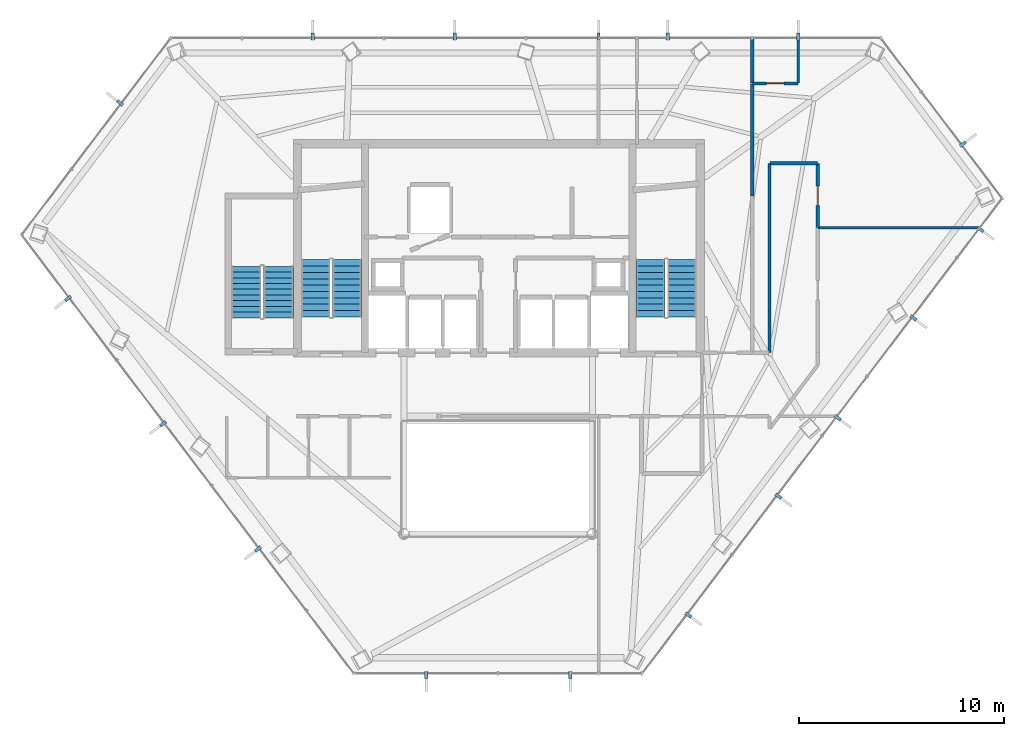
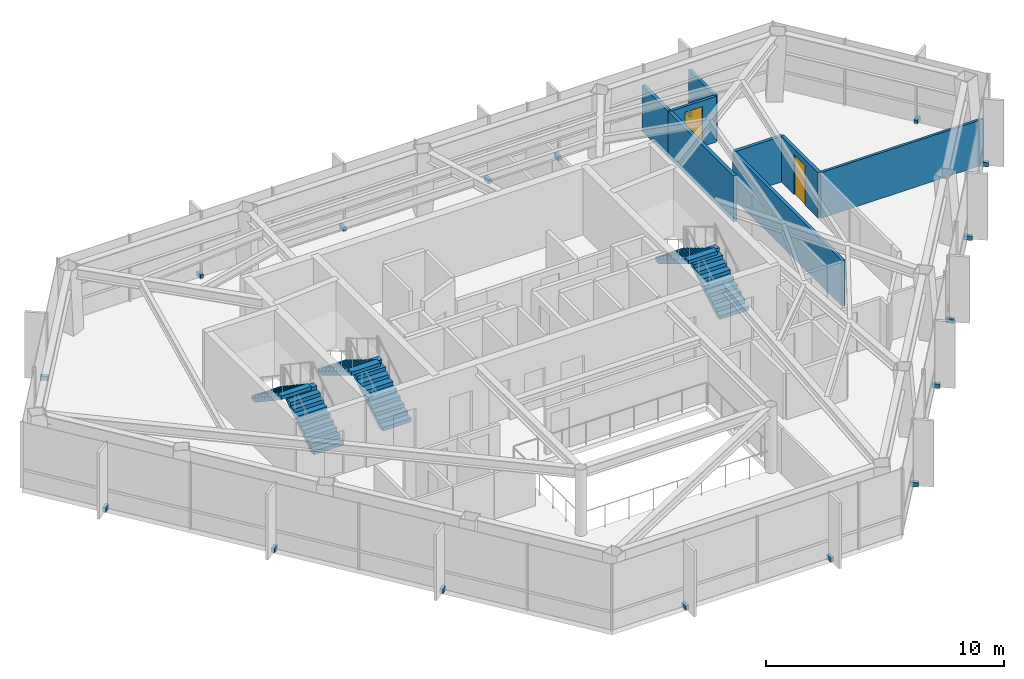
# One storey, part 27 of 28: 17 discrete accessories, 8 walls, 6 stair flights, 2 doors, 2 openings, 3 elements without a shape of their own.
"""IFC4 building model written with IfcOpenShell, lengths in metres."""

from ifc_helpers import new_model, si_unit, direction, frame, frame_2d, origin, origin_2d, place, context, subcontext, project, spatial, polyline, rectangle, outline, extrude, material, layer, layer_set, type_object, element, fill, aggregate, save


model = new_model("IFC4")

# Units and contexts
model_context = context("Model", 3, precision=1e-05, world=origin(), true_north=direction((0.0, 1.0)))
body_context = subcontext(model_context, "Body", "Model", "MODEL_VIEW")
ifc_project = project(units=[si_unit("LENGTHUNIT", "METRE"), si_unit("AREAUNIT", "SQUARE_METRE"), si_unit("VOLUMEUNIT", "CUBIC_METRE"), si_unit("PLANEANGLEUNIT", "RADIAN"), si_unit("MASSUNIT", "GRAM", prefix="KILO")], contexts=[model_context])

# Site, building, storey
site_placement = place(None, origin())
site = spatial("IfcSite", under=ifc_project, at=site_placement, CompositionType="ELEMENT")
building_placement = place(site_placement, origin())
building = spatial("IfcBuilding", under=site, at=building_placement, Name="Zarrinselat Tower", CompositionType="ELEMENT")
storey_placement = place(building_placement, frame((0.0, 0.0, 190.739990234375)))
storey = spatial("IfcBuildingStorey", under=building, at=storey_placement, Name="L47", CompositionType="ELEMENT", Elevation=190.739990234375)

# Walls
ifc_material_1 = material(Name="Fire-Rated Gypsum Board Partition", Category="gypsum")
ifc_layer_1 = layer(ifc_material_1, 0.1650390625)
ifc_layer_set_1 = layer_set([ifc_layer_1], Name="Fire-Rated Gypsum Board Partition")
wall_type_1 = type_object("IfcWallType", Name="WAL-PART-DEMISE", PredefinedType="PARTITIONING", material=ifc_layer_set_1)
wall_1_placement = place(storey_placement, frame((50.800048828125, 40.897705078125, 0.0), z_axis=(0.0, 0.0, 1.0), x_axis=(0.0, 1.0, 0.0)))
element("IfcWall", 1, at=wall_1_placement, inside=storey, type_object=wall_type_1, Name="L47 Partition Wall 50", PredefinedType="PARTITIONING", context=body_context, shape_type="SweptSolid", body=[
    extrude(rectangle(XDim=5.477783203125, YDim=0.1650390625, at=frame_2d((2.73876953125, 0.0))), origin(), (0.0, 0.0, 1.0), 2.346923828125),
])
wall_2_placement = place(storey_placement, frame((50.800048828125, 46.41552734375, 0.0), z_axis=(0.0, 0.0, 1.0), x_axis=(0.0, 1.0, 0.0)))
element("IfcWall", 2, at=wall_2_placement, inside=storey, type_object=wall_type_1, Name="L47 Partition Wall 51", PredefinedType="PARTITIONING", context=body_context, shape_type="SweptSolid", body=[
    extrude(rectangle(XDim=2.175048828125, YDim=0.1650390625, at=frame_2d((1.08740234375, 0.0))), origin(), (0.0, 0.0, 1.0), 2.346923828125),
])
ifc_material_2 = material(Name="Fire-Rated Gypsum Board Partition", Category="gypsum")
ifc_layer_2 = layer(ifc_material_2, 0.14990234375)
ifc_layer_set_2 = layer_set([ifc_layer_2], Name="Fire-Rated Gypsum Board Partition")
wall_type_2 = type_object("IfcWallType", Name="WAL-PART-EI60", PredefinedType="PARTITIONING", material=ifc_layer_set_2)
wall_3_placement = place(storey_placement, frame((51.64990234375, 33.27001953125, 0.0), z_axis=(0.0, 0.0, 1.0), x_axis=(0.0, 1.0, 0.0)))
element("IfcWall", 3, at=wall_3_placement, inside=storey, type_object=wall_type_2, Name="L47 Partition Wall 29", PredefinedType="PARTITIONING", context=body_context, shape_type="SweptSolid", body=[
    extrude(rectangle(XDim=9.2099609375, YDim=0.14990234375, at=frame_2d((4.60498046875, 0.0))), origin(), (0.0, 0.0, 1.0), 2.346923828125),
])
wall_4_placement = place(storey_placement, frame((51.669921875, 42.5, 0.0), z_axis=(0.0, 0.0, 1.0), x_axis=(1.0, 0.0, 0.0)))
element("IfcWall", 4, at=wall_4_placement, inside=storey, type_object=wall_type_2, Name="L47 Partition Wall 30", PredefinedType="PARTITIONING", context=body_context, shape_type="SweptSolid", body=[
    extrude(rectangle(XDim=2.31005859375, YDim=0.14990234375, at=frame_2d((1.155029296875, 0.0))), origin(), (0.0, 0.0, 1.0), 2.346923828125),
])

# Wall, opening, door
wall_5_placement = place(storey_placement, frame((54.0, 39.352783203125, 0.0), z_axis=(0.0, 0.0, 1.0), x_axis=(0.0, 1.0, 0.0)))
wall_5 = element("IfcWall", 5, at=wall_5_placement, inside=storey, type_object=wall_type_2, Name="L47 Partition Wall 31", PredefinedType="PARTITIONING", context=body_context, shape_type="SweptSolid", body=[
    extrude(rectangle(XDim=3.127197265625, YDim=0.14990234375, at=frame_2d((1.5634765625, 0.0))), origin(), (0.0, 0.0, 1.0), 2.346923828125),
])
opening_1_placement = place(wall_5_placement, frame((1.093505859375, 0.0, 0.0)))
opening_1 = element("IfcOpeningElement", 6, at=opening_1_placement, cuts=wall_5, Name="Opening ID-04", PredefinedType="OPENING", context=body_context, shape_type="SweptSolid", body=[
    extrude(rectangle(XDim=0.93994140625, YDim=2.050048828125, at=frame_2d((0.469970703125, 1.02490234375))), frame((0.0, 0.0849609375, 0.0), z_axis=(0.0, -1.0, 0.0), x_axis=(1.0, 0.0, 0.0)), (0.0, 0.0, 1.0), 0.169921875),
])
ifc_material_3 = material(Name="Fire-Rated Gypsum Board Partition")
door_type_1 = type_object("IfcDoorType", Name="DR-INT-FD30-ENT", OperationType="NOTDEFINED", PredefinedType="DOOR", material=ifc_material_3)
door_1_placement = place(opening_1_placement, origin())
door_1 = element("IfcDoor", 7, at=door_1_placement, inside=storey, type_object=door_type_1, Name="L47 Interior Door P31", OperationType="SINGLE_SWING_RIGHT", OverallHeight=2.050048828125, OverallWidth=0.93994140625, PredefinedType="DOOR", context=body_context, shape_type="SweptSolid", body=[
    extrude(rectangle(XDim=0.93994140625, YDim=2.050048828125, at=frame_2d((0.469970703125, 1.02490234375))), frame((0.0, 0.02490234375, 0.0), z_axis=(0.0, -1.0, 0.0), x_axis=(1.0, 0.0, 0.0)), (0.0, 0.0, 1.0), 0.050048828125),
])
fill(opening_1, door_1)

# Wall
ifc_material_4 = material(Name="Fire-Rated Gypsum Board Partition", Category="gypsum")
ifc_layer_3 = layer(ifc_material_4, 0.1201171875)
ifc_layer_set_3 = layer_set([ifc_layer_3], Name="Fire-Rated Gypsum Board Partition")
wall_type_3 = type_object("IfcWallType", Name="WAL-PART-STD", PredefinedType="PARTITIONING", material=ifc_layer_set_3)
wall_6_placement = place(storey_placement, frame((54.02001953125, 39.347900390625, 0.0), z_axis=(0.0, 0.0, 1.0), x_axis=(1.0, 0.0, 0.0)))
element("IfcWall", 8, at=wall_6_placement, inside=storey, type_object=wall_type_3, Name="L47 Partition Wall 45", PredefinedType="PARTITIONING", context=body_context, shape_type="SweptSolid", body=[
    extrude(rectangle(XDim=7.87939453125, YDim=0.1201171875, at=frame_2d((3.939697265625, 0.0))), origin(), (0.0, 0.0, 1.0), 2.346923828125),
])

# Wall, opening, door
ifc_material_5 = material(Name="Fire-Rated Gypsum Board Partition", Category="gypsum")
ifc_layer_4 = layer(ifc_material_5, 0.135009765625)
ifc_layer_set_4 = layer_set([ifc_layer_4], Name="Fire-Rated Gypsum Board Partition")
wall_type_4 = type_object("IfcWallType", Name="WAL-PART-WET", PredefinedType="PARTITIONING", material=ifc_layer_set_4)
wall_7_placement = place(storey_placement, frame((50.820068359375, 46.3955078125, 0.0), z_axis=(0.0, 0.0, 1.0), x_axis=(1.0, 0.0, 0.0)))
wall_7 = element("IfcWall", 9, at=wall_7_placement, inside=storey, type_object=wall_type_4, Name="L47 Partition Wall 46", PredefinedType="PARTITIONING", context=body_context, shape_type="SweptSolid", body=[
    extrude(rectangle(XDim=2.2099609375, YDim=0.135009765625, at=frame_2d((1.10498046875, 0.0))), origin(), (0.0, 0.0, 1.0), 2.346923828125),
])
opening_2_placement = place(wall_7_placement, frame((0.675048828125, 0.0, 0.0)))
opening_2 = element("IfcOpeningElement", 10, at=opening_2_placement, cuts=wall_7, Name="Opening ID-06", PredefinedType="OPENING", context=body_context, shape_type="SweptSolid", body=[
    extrude(rectangle(XDim=0.860107421875, YDim=2.050048828125, at=frame_2d((0.43017578125, 1.02490234375))), frame((0.0, 0.077392578125, 0.0), z_axis=(0.0, -1.0, 0.0), x_axis=(1.0, 0.0, 0.0)), (0.0, 0.0, 1.0), 0.155029296875),
])
ifc_material_6 = material(Name="Extruded Aluminium Alloy EN AW-6063 T6", Category="aluminium")
door_type_2 = type_object("IfcDoorType", Name="DR-INT-WET-900", OperationType="NOTDEFINED", PredefinedType="DOOR", material=ifc_material_6)
door_2_placement = place(opening_2_placement, origin())
door_2 = element("IfcDoor", 11, at=door_2_placement, inside=storey, type_object=door_type_2, Name="L47 Interior Door P46", OperationType="SINGLE_SWING_RIGHT", OverallHeight=2.050048828125, OverallWidth=0.860107421875, PredefinedType="DOOR", context=body_context, shape_type="SweptSolid", body=[
    extrude(rectangle(XDim=0.860107421875, YDim=2.050048828125, at=frame_2d((0.43017578125, 1.02490234375))), frame((0.0, 0.02490234375, 0.0), z_axis=(0.0, -1.0, 0.0), x_axis=(1.0, 0.0, 0.0)), (0.0, 0.0, 1.0), 0.050048828125),
])
fill(opening_2, door_2)

# Wall
wall_8_placement = place(storey_placement, frame((53.050048828125, 46.41552734375, 0.0), z_axis=(0.0, 0.0, 1.0), x_axis=(0.0, 1.0, 0.0)))
element("IfcWall", 12, at=wall_8_placement, inside=storey, type_object=wall_type_4, Name="L47 Partition Wall 47", PredefinedType="PARTITIONING", context=body_context, shape_type="SweptSolid", body=[
    extrude(rectangle(XDim=2.175048828125, YDim=0.135009765625, at=frame_2d((1.08740234375, 0.0))), origin(), (0.0, 0.0, 1.0), 2.346923828125),
])

# Stair, stair flights
ifc_material_7 = material(Name="Concrete C40/50", Category="concrete")
stair_type_1 = type_object("IfcStairType", Name="STR-CORE-145", PredefinedType="HALF_TURN_STAIR", material=ifc_material_7)
stair_1_placement = place(storey_placement, origin())
stair_1 = element("IfcStair", 13, at=stair_1_placement, inside=storey, type_object=stair_type_1, Name="L47 Podium & Mid-Tower Exit Stair 3", PredefinedType="HALF_TURN_STAIR")
ifc_material_8 = material(Name="Concrete C40/50", Category="concrete")
stair_flight_type_1 = type_object("IfcStairFlightType", Name="STR-FLT-145", PredefinedType="STRAIGHT", material=ifc_material_8)
stair_flight_1_placement = place(storey_placement, frame((27.675048828125, 34.949951171875, 0.0), z_axis=(0.0, 0.0, 1.0), x_axis=(0.0, 1.0, 0.0)))
stair_flight_1 = element("IfcStairFlight", 14, at=stair_flight_1_placement, type_object=stair_flight_type_1, Name="ST-3 flight 1", NumberOfRisers=10, NumberOfTreads=9, PredefinedType="STRAIGHT", RiserHeight=0.187, TreadLength=0.28, context=body_context, shape_type="SweptSolid", body=[
    extrude(outline(polyline([(0.0, 0.0), (0.0, 0.18701171875), (0.280029296875, 0.18701171875), (0.280029296875, 0.3740234375), (0.56005859375, 0.3740234375), (0.56005859375, 0.56103515625), (0.840087890625, 0.56103515625), (0.840087890625, 0.748046875), (1.1201171875, 0.748046875), (1.1201171875, 0.93505859375), (1.39990234375, 0.93505859375), (1.39990234375, 1.1220703125), (1.679931640625, 1.1220703125), (1.679931640625, 1.30908203125), (1.9599609375, 1.30908203125), (1.9599609375, 1.49609375), (2.239990234375, 1.49609375), (2.239990234375, 1.68310546875), (2.52001953125, 1.68310546875), (2.52001953125, 1.8701171875), (2.52001953125, 1.502685546875), (0.27001953125, 0.0), (0.0, 0.0)])), frame((0.0, 0.72509765625, 0.0), z_axis=(0.0, -1.0, 0.0), x_axis=(1.0, 0.0, 0.0)), (0.0, 0.0, 1.0), 1.449951171875),
])
stair_flight_2_placement = place(storey_placement, frame((26.10498046875, 37.469970703125, 1.8701171875), z_axis=(0.0, 0.0, 1.0), x_axis=(0.0, -1.0, 0.0)))
stair_flight_2 = element("IfcStairFlight", 15, at=stair_flight_2_placement, type_object=stair_flight_type_1, Name="ST-3 flight 2", NumberOfRisers=10, NumberOfTreads=9, PredefinedType="STRAIGHT", RiserHeight=0.187, TreadLength=0.28, context=body_context, shape_type="SweptSolid", body=[
    extrude(outline(polyline([(0.0, 0.0), (0.0, 0.18701171875), (0.280029296875, 0.18701171875), (0.280029296875, 0.3740234375), (0.56005859375, 0.3740234375), (0.56005859375, 0.56103515625), (0.840087890625, 0.56103515625), (0.840087890625, 0.748046875), (1.1201171875, 0.748046875), (1.1201171875, 0.93505859375), (1.39990234375, 0.93505859375), (1.39990234375, 1.1220703125), (1.679931640625, 1.1220703125), (1.679931640625, 1.30908203125), (1.9599609375, 1.30908203125), (1.9599609375, 1.49609375), (2.239990234375, 1.49609375), (2.239990234375, 1.68310546875), (2.52001953125, 1.68310546875), (2.52001953125, 1.8701171875), (2.52001953125, 1.502685546875), (0.27001953125, 0.0), (0.0, 0.0)])), frame((0.0, 0.72509765625, 0.0), z_axis=(0.0, -1.0, 0.0), x_axis=(1.0, 0.0, 0.0)), (0.0, 0.0, 1.0), 1.449951171875),
])
aggregate(stair_1, [stair_flight_1, stair_flight_2])

ifc_material_9 = material(Name="Concrete C40/50", Category="concrete")
stair_type_2 = type_object("IfcStairType", Name="STR-CORE-155", PredefinedType="HALF_TURN_STAIR", material=ifc_material_9)
stair_2_placement = place(storey_placement, origin())
stair_2 = element("IfcStair", 16, at=stair_2_placement, inside=storey, type_object=stair_type_2, Name="L47 Core Exit Stair 1", PredefinedType="HALF_TURN_STAIR")
ifc_material_10 = material(Name="Concrete C40/50", Category="concrete")
stair_flight_type_2 = type_object("IfcStairFlightType", Name="STR-FLT-155", PredefinedType="STRAIGHT", material=ifc_material_10)
stair_flight_3_placement = place(storey_placement, frame((31.02001953125, 35.0, 0.0), z_axis=(0.0, 0.0, 1.0), x_axis=(0.0, 1.0, 0.0)))
stair_flight_3 = element("IfcStairFlight", 17, at=stair_flight_3_placement, type_object=stair_flight_type_2, Name="ST-1 flight 1", NumberOfRisers=10, NumberOfTreads=9, PredefinedType="STRAIGHT", RiserHeight=0.187, TreadLength=0.31, context=body_context, shape_type="SweptSolid", body=[
    extrude(outline(polyline([(0.0, 0.0), (0.0, 0.18701171875), (0.31005859375, 0.18701171875), (0.31005859375, 0.3740234375), (0.6201171875, 0.3740234375), (0.6201171875, 0.56103515625), (0.929931640625, 0.56103515625), (0.929931640625, 0.748046875), (1.239990234375, 0.748046875), (1.239990234375, 0.93505859375), (1.550048828125, 0.93505859375), (1.550048828125, 1.1220703125), (1.860107421875, 1.1220703125), (1.860107421875, 1.30908203125), (2.169921875, 1.30908203125), (2.169921875, 1.49609375), (2.47998046875, 1.49609375), (2.47998046875, 1.68310546875), (2.7900390625, 1.68310546875), (2.7900390625, 1.8701171875), (2.7900390625, 1.508056640625), (0.290283203125, 0.0), (0.0, 0.0)])), frame((0.0, 0.699951171875, 0.0), z_axis=(0.0, -1.0, 0.0), x_axis=(1.0, 0.0, 0.0)), (0.0, 0.0, 1.0), 1.39990234375),
])
stair_flight_4_placement = place(storey_placement, frame((29.5, 37.7900390625, 1.8701171875), z_axis=(0.0, 0.0, 1.0), x_axis=(0.0, -1.0, 0.0)))
stair_flight_4 = element("IfcStairFlight", 18, at=stair_flight_4_placement, type_object=stair_flight_type_2, Name="ST-1 flight 2", NumberOfRisers=10, NumberOfTreads=9, PredefinedType="STRAIGHT", RiserHeight=0.187, TreadLength=0.31, context=body_context, shape_type="SweptSolid", body=[
    extrude(outline(polyline([(0.0, 0.0), (0.0, 0.18701171875), (0.31005859375, 0.18701171875), (0.31005859375, 0.3740234375), (0.6201171875, 0.3740234375), (0.6201171875, 0.56103515625), (0.929931640625, 0.56103515625), (0.929931640625, 0.748046875), (1.239990234375, 0.748046875), (1.239990234375, 0.93505859375), (1.550048828125, 0.93505859375), (1.550048828125, 1.1220703125), (1.860107421875, 1.1220703125), (1.860107421875, 1.30908203125), (2.169921875, 1.30908203125), (2.169921875, 1.49609375), (2.47998046875, 1.49609375), (2.47998046875, 1.68310546875), (2.7900390625, 1.68310546875), (2.7900390625, 1.8701171875), (2.7900390625, 1.508056640625), (0.290283203125, 0.0), (0.0, 0.0)])), frame((0.0, 0.699951171875, 0.0), z_axis=(0.0, -1.0, 0.0), x_axis=(1.0, 0.0, 0.0)), (0.0, 0.0, 1.0), 1.39990234375),
])
aggregate(stair_2, [stair_flight_3, stair_flight_4])

stair_3_placement = place(storey_placement, origin())
stair_3 = element("IfcStair", 19, at=stair_3_placement, inside=storey, type_object=stair_type_2, Name="L47 Core Exit Stair 2", PredefinedType="HALF_TURN_STAIR")
stair_flight_5_placement = place(storey_placement, frame((47.360107421875, 35.0, 0.0), z_axis=(0.0, 0.0, 1.0), x_axis=(0.0, 1.0, 0.0)))
stair_flight_5 = element("IfcStairFlight", 20, at=stair_flight_5_placement, type_object=stair_flight_type_2, Name="ST-2 flight 1", NumberOfRisers=10, NumberOfTreads=9, PredefinedType="STRAIGHT", RiserHeight=0.187, TreadLength=0.31, context=body_context, shape_type="SweptSolid", body=[
    extrude(outline(polyline([(0.0, 0.0), (0.0, 0.18701171875), (0.31005859375, 0.18701171875), (0.31005859375, 0.3740234375), (0.6201171875, 0.3740234375), (0.6201171875, 0.56103515625), (0.929931640625, 0.56103515625), (0.929931640625, 0.748046875), (1.239990234375, 0.748046875), (1.239990234375, 0.93505859375), (1.550048828125, 0.93505859375), (1.550048828125, 1.1220703125), (1.860107421875, 1.1220703125), (1.860107421875, 1.30908203125), (2.169921875, 1.30908203125), (2.169921875, 1.49609375), (2.47998046875, 1.49609375), (2.47998046875, 1.68310546875), (2.7900390625, 1.68310546875), (2.7900390625, 1.8701171875), (2.7900390625, 1.508056640625), (0.290283203125, 0.0), (0.0, 0.0)])), frame((0.0, 0.699951171875, 0.0), z_axis=(0.0, -1.0, 0.0), x_axis=(1.0, 0.0, 0.0)), (0.0, 0.0, 1.0), 1.39990234375),
])
stair_flight_6_placement = place(storey_placement, frame((45.840087890625, 37.7900390625, 1.8701171875), z_axis=(0.0, 0.0, 1.0), x_axis=(0.0, -1.0, 0.0)))
stair_flight_6 = element("IfcStairFlight", 21, at=stair_flight_6_placement, type_object=stair_flight_type_2, Name="ST-2 flight 2", NumberOfRisers=10, NumberOfTreads=9, PredefinedType="STRAIGHT", RiserHeight=0.187, TreadLength=0.31, context=body_context, shape_type="SweptSolid", body=[
    extrude(outline(polyline([(0.0, 0.0), (0.0, 0.18701171875), (0.31005859375, 0.18701171875), (0.31005859375, 0.3740234375), (0.6201171875, 0.3740234375), (0.6201171875, 0.56103515625), (0.929931640625, 0.56103515625), (0.929931640625, 0.748046875), (1.239990234375, 0.748046875), (1.239990234375, 0.93505859375), (1.550048828125, 0.93505859375), (1.550048828125, 1.1220703125), (1.860107421875, 1.1220703125), (1.860107421875, 1.30908203125), (2.169921875, 1.30908203125), (2.169921875, 1.49609375), (2.47998046875, 1.49609375), (2.47998046875, 1.68310546875), (2.7900390625, 1.68310546875), (2.7900390625, 1.8701171875), (2.7900390625, 1.508056640625), (0.290283203125, 0.0), (0.0, 0.0)])), frame((0.0, 0.699951171875, 0.0), z_axis=(0.0, -1.0, 0.0), x_axis=(1.0, 0.0, 0.0)), (0.0, 0.0, 1.0), 1.39990234375),
])
aggregate(stair_3, [stair_flight_5, stair_flight_6])

# Discrete accessories
ifc_material_11 = material(Name="Steel S355J2", Category="steel")
discrete_accessory_type = type_object("IfcDiscreteAccessoryType", Name="ACC-FIN-BRACKET", PredefinedType="BRACKET", material=ifc_material_11)
for number, where, z_axis, x_axis, name in (
    (22, (53.050048828125, 48.675537109375, -0.0498046875), (0.0, 0.0, 1.0), (0.0, 1.0, 0.0), "L47 Fin Fixing Bracket CW-L47-E01-01"),
    (23, (46.6845703125, 48.675537109375, -0.0498046875), (0.0, 0.0, 1.0), (0.0, 1.0, 0.0), "L47 Fin Fixing Bracket CW-L47-E01-03"),
    (24, (43.300048828125, 48.675537109375, -0.0498046875), (0.0, 0.0, 1.0), (0.0, 1.0, 0.0), "L47 Fin Fixing Bracket CW-L47-E01-05"),
    (25, (36.2861328125, 48.675537109375, -0.0498046875), (0.0, 0.0, 1.0), (0.0, 1.0, 0.0), "L47 Fin Fixing Bracket CW-L47-E01-07"),
    (26, (29.35400390625, 48.675537109375, -0.0498046875), (0.0, 0.0, 1.0), (0.0, 1.0, 0.0), "L47 Fin Fixing Bracket CW-L47-E01-09"),
    (27, (19.94091796875, 45.447021484375, -0.0498046875), (0.0, 0.0, 1.0), (-0.797095053884, 0.603853852413, 0.0), "L47 Fin Fixing Bracket CW-L47-E02-01"),
    (28, (17.40869140625, 35.901611328125, -0.0498046875), (0.0, 0.0, 1.0), (-0.7970925825, -0.603857114659, 0.0), "L47 Fin Fixing Bracket CW-L47-E03-01"),
    (29, (22.043701171875, 29.783203125, -0.0498046875), (0.0, 0.0, 1.0), (-0.7970925825, -0.603857114659, 0.0), "L47 Fin Fixing Bracket CW-L47-E03-03"),
    (30, (26.6787109375, 23.665283203125, -0.0498046875), (0.0, 0.0, 1.0), (-0.7970925825, -0.603857114659, 0.0), "L47 Fin Fixing Bracket CW-L47-E03-05"),
    (31, (34.884765625, 17.519287109375, -0.0498046875), (0.0, 0.0, 1.0), (0.0, -1.0, 0.0), "L47 Fin Fixing Bracket CW-L47-E04-01"),
    (32, (41.915283203125, 17.519287109375, -0.0498046875), (0.0, 0.0, 1.0), (0.0, -1.0, 0.0), "L47 Fin Fixing Bracket CW-L47-E04-03"),
    (33, (47.68310546875, 20.447021484375, -0.0498046875), (0.0, 0.0, 1.0), (0.797092950005, -0.603856629551, 0.0), "L47 Fin Fixing Bracket CW-L47-E05-01"),
    (34, (52.076904296875, 26.24658203125, -0.0498046875), (0.0, 0.0, 1.0), (0.797092950005, -0.603856629551, 0.0), "L47 Fin Fixing Bracket CW-L47-E05-03"),
    (35, (54.974609375, 30.071533203125, -0.0498046875), (0.0, 0.0, 1.0), (0.797092950005, -0.603856629551, 0.0), "L47 Fin Fixing Bracket CW-L47-E05-05"),
    (36, (58.66748046875, 34.946044921875, -0.0498046875), (0.0, 0.0, 1.0), (0.797092950005, -0.603856629551, 0.0), "L47 Fin Fixing Bracket CW-L47-E05-07"),
    (37, (61.942626953125, 39.269287109375, -0.0498046875), (0.0, 0.0, 1.0), (0.797092950005, -0.603856629551, 0.0), "L47 Fin Fixing Bracket CW-L47-E05-09"),
    (38, (61.087158203125, 43.436279296875, -0.0498046875), (0.0, 0.0, 1.0), (0.797089619916, 0.603861025256, 0.0), "L47 Fin Fixing Bracket CW-L47-E06-01"),
):
    element("IfcDiscreteAccessory", number, at=place(storey_placement, frame(where, z_axis=z_axis, x_axis=x_axis)), inside=storey, type_object=discrete_accessory_type, Name=name, PredefinedType="BRACKET", context=body_context, shape_type="SweptSolid", body=[
        extrude(rectangle(XDim=0.340087890625, YDim=0.159912109375, at=origin_2d()), origin(), (0.0, 0.0, 1.0), 0.219970703125),
    ])

save(model, "model.ifc")
